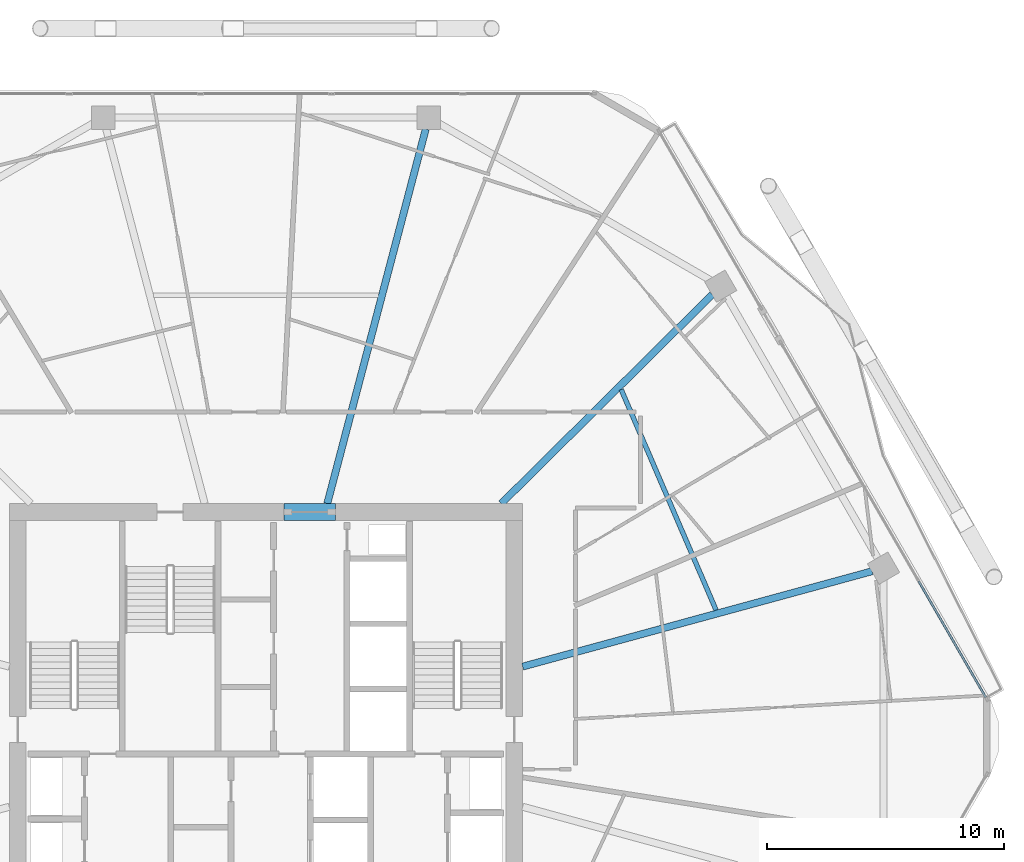
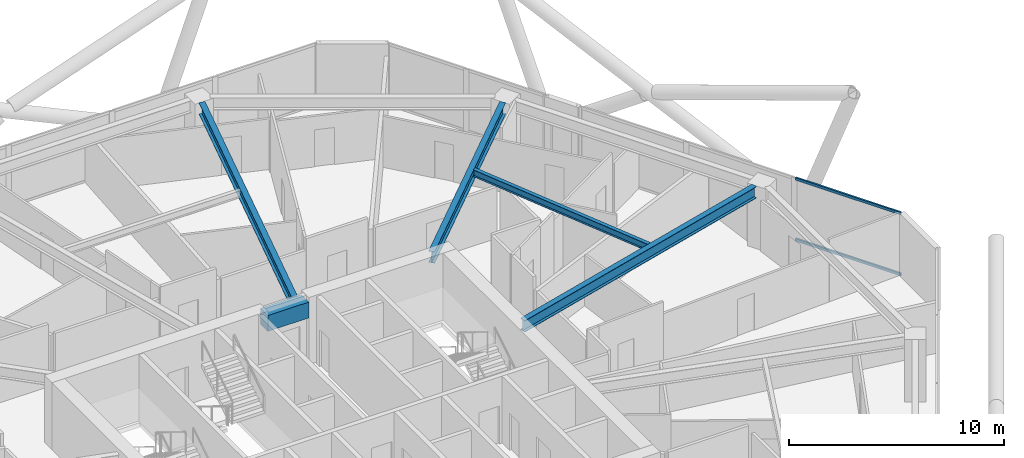
# One storey, part 15 of 28: 5 beams, 2 members, 1 element without a shape of its own.
"""IFC4 building model written with IfcOpenShell, lengths in metres."""

from ifc_helpers import new_model, si_unit, direction, frame, origin, origin_2d, place, context, subcontext, project, spatial, rectangle, hollow_rectangle, i_section, extrude, material, material_profile, profile_set, type_object, element, aggregate, save


model = new_model("IFC4")

# Units and contexts
model_context = context("Model", 3, precision=1e-05, world=origin(), true_north=direction((0.0, 1.0)))
body_context = subcontext(model_context, "Body", "Model", "MODEL_VIEW")
ifc_project = project(units=[si_unit("LENGTHUNIT", "METRE"), si_unit("AREAUNIT", "SQUARE_METRE"), si_unit("VOLUMEUNIT", "CUBIC_METRE"), si_unit("PLANEANGLEUNIT", "RADIAN"), si_unit("MASSUNIT", "GRAM", prefix="KILO")], contexts=[model_context])

# Site, building, storey
site_placement = place(None, origin())
site = spatial("IfcSite", under=ifc_project, at=site_placement, CompositionType="ELEMENT")
building_placement = place(site_placement, origin())
building = spatial("IfcBuilding", under=site, at=building_placement, Name="Zuhravey Tower", CompositionType="ELEMENT")
storey_placement = place(building_placement, frame((0.0, 0.0, 169.39990234375)))
storey = spatial("IfcBuildingStorey", under=building, at=storey_placement, Name="L42", CompositionType="ELEMENT", Elevation=169.39990234375)

# Beam
ifc_material_1 = material(Name="Concrete C60/75", Category="concrete")
ifc_material_profile_1 = material_profile(ifc_material_1, rectangle(XDim=0.699951171875, YDim=0.89990234375, at=origin_2d()), Name="RC-700x900")
ifc_profile_set_1 = profile_set([ifc_material_profile_1], Name="Concrete C60/75")
beam_type_1 = type_object("IfcBeamType", Name="Core Coupling Beam RC700x900", PredefinedType="LINTEL", material=ifc_profile_set_1)
beam_1_placement = place(storey_placement, frame((36.751953125, 41.5, 3.10009765625), z_axis=(1.0, 0.0, 0.0), x_axis=(0.0, 1.0, 0.0)))
element("IfcBeam", 1, at=beam_1_placement, inside=storey, type_object=beam_type_1, Name="L42 CB1 BM-L42-CB-N", PredefinedType="LINTEL", context=body_context, shape_type="SweptSolid", body=[
    extrude(rectangle(XDim=0.699951171875, YDim=0.89990234375, at=origin_2d()), origin(), (0.0, 0.0, 1.0), 2.196044921875),
])

# Curtain wall, members
ifc_material_2 = material(Name="Thermally broken anodised aluminium", Category="aluminium")
curtain_wall_type = type_object("IfcCurtainWallType", Name="Zone 1-2 Residential Curtain Wall CW3", PredefinedType="NOTDEFINED", material=ifc_material_2)
curtain_wall_placement = place(storey_placement, origin())
curtain_wall = element("IfcCurtainWall", 2, at=curtain_wall_placement, inside=storey, type_object=curtain_wall_type, Name="L42 CW3 CW-L42-F1-2", PredefinedType="NOTDEFINED")
ifc_material_3 = material(Name="Anodised aluminium", Category="aluminium")
ifc_material_profile_2 = material_profile(ifc_material_3, hollow_rectangle(XDim=0.090087890625, YDim=0.14990234375, WallThickness=0.0048828125, at=origin_2d()), Name="ALU-RHS-90x150x5")
ifc_profile_set_2 = profile_set([ifc_material_profile_2], Name="Anodised aluminium")
member_type = type_object("IfcMemberType", Name="Curtain-Wall Transom 90x150", PredefinedType="USERDEFINED", material=ifc_profile_set_2)
member_1_placement = place(storey_placement, frame((63.59375, 38.572509765625, 0.045166015625), z_axis=(0.499994730513, -0.866028446103, 0.0), x_axis=(0.866028446103, 0.499994730513, 0.0)))
member_1 = element("IfcMember", 3, at=member_1_placement, type_object=member_type, Name="CW3 transom 3.1", ObjectType="TRANSOM", PredefinedType="USERDEFINED", context=body_context, shape_type="SweptSolid", body=[
    extrude(hollow_rectangle(XDim=0.090087890625, YDim=0.14990234375, WallThickness=0.0048828125, at=origin_2d()), origin(), (0.0, 0.0, 1.0), 5.666015625),
])
member_2_placement = place(storey_placement, frame((63.59375, 38.572509765625, 3.505126953125), z_axis=(0.499994730513, -0.866028446103, 0.0), x_axis=(0.866028446103, 0.499994730513, 0.0)))
member_2 = element("IfcMember", 4, at=member_2_placement, type_object=member_type, Name="CW3 transom 3.2", ObjectType="TRANSOM", PredefinedType="USERDEFINED", context=body_context, shape_type="SweptSolid", body=[
    extrude(hollow_rectangle(XDim=0.090087890625, YDim=0.14990234375, WallThickness=0.0048828125, at=origin_2d()), origin(), (0.0, 0.0, 1.0), 5.666015625),
])
aggregate(curtain_wall, [member_1, member_2])

# Beams
ifc_material_4 = material(Name="Steel SM355", Category="steel")
ifc_material_profile_3 = material_profile(ifc_material_4, i_section(OverallWidth=0.300048828125, OverallDepth=0.64990234375, WebThickness=0.012939453125, FlangeThickness=0.02197265625, at=origin_2d()), Name="H-650x300x13x22")
ifc_profile_set_3 = profile_set([ifc_material_profile_3], Name="Steel SM355")
beam_type_2 = type_object("IfcBeamType", Name="Radial Primary Girder H650x300", PredefinedType="BEAM", material=ifc_profile_set_3)
beam_2_placement = place(storey_placement, frame((46.85302734375, 34.96240234375, 3.22509765625), z_axis=(0.964701601771, 0.263345437667, 0.0), x_axis=(-0.263345437667, 0.964701601771, 0.0)))
element("IfcBeam", 5, at=beam_2_placement, inside=storey, type_object=beam_type_2, Name="L42 RG2 BM-L42-RAD-01", PredefinedType="BEAM", context=body_context, shape_type="SweptSolid", body=[
    extrude(i_section(OverallWidth=0.300048828125, OverallDepth=0.64990234375, WebThickness=0.012939453125, FlangeThickness=0.02197265625, at=origin_2d()), origin(), (0.0, 0.0, 1.0), 15.309814453125),
])
beam_3_placement = place(storey_placement, frame((45.945556640625, 41.85302734375, 3.22509765625), z_axis=(0.71040353357, 0.703794586148, 0.0), x_axis=(-0.703794586148, 0.71040353357, 0.0)))
element("IfcBeam", 6, at=beam_3_placement, inside=storey, type_object=beam_type_2, Name="L42 RG2 BM-L42-RAD-02", PredefinedType="BEAM", context=body_context, shape_type="SweptSolid", body=[
    extrude(i_section(OverallWidth=0.300048828125, OverallDepth=0.64990234375, WebThickness=0.012939453125, FlangeThickness=0.02197265625, at=origin_2d()), origin(), (0.0, 0.0, 1.0), 12.559814453125),
])
beam_4_placement = place(storey_placement, frame((38.5908203125, 41.85302734375, 3.22509765625), z_axis=(0.254300244998, 0.967125320418, 0.0), x_axis=(-0.967125320418, 0.254300244998, 0.0)))
element("IfcBeam", 7, at=beam_4_placement, inside=storey, type_object=beam_type_2, Name="L42 RG2 BM-L42-RAD-03", PredefinedType="BEAM", context=body_context, shape_type="SweptSolid", body=[
    extrude(i_section(OverallWidth=0.300048828125, OverallDepth=0.64990234375, WebThickness=0.012939453125, FlangeThickness=0.02197265625, at=origin_2d()), origin(), (0.0, 0.0, 1.0), 16.371826171875),
])
ifc_material_profile_4 = material_profile(ifc_material_4, i_section(OverallWidth=0.199951171875, OverallDepth=0.39990234375, WebThickness=0.008056640625, FlangeThickness=0.012939453125, at=origin_2d()), Name="H-400x200x8x13")
ifc_profile_set_4 = profile_set([ifc_material_profile_4], Name="Steel SM355")
beam_type_3 = type_object("IfcBeamType", Name="Secondary Floor Joist H400x200", PredefinedType="JOIST", material=ifc_profile_set_4)
beam_5_placement = place(storey_placement, frame((55.029541015625, 37.3525390625, 3.35009765625), z_axis=(-0.395265853487, 0.918566766799, 0.0), x_axis=(-0.918566766799, -0.395265853487, 0.0)))
element("IfcBeam", 8, at=beam_5_placement, inside=storey, type_object=beam_type_3, Name="L42 SJ2 BM-L42-SJ-01-1", PredefinedType="JOIST", context=body_context, shape_type="SweptSolid", body=[
    extrude(i_section(OverallWidth=0.199951171875, OverallDepth=0.39990234375, WebThickness=0.008056640625, FlangeThickness=0.012939453125, at=origin_2d()), origin(), (0.0, 0.0, 1.0), 10.150146484375),
])

save(model, "model.ifc")
